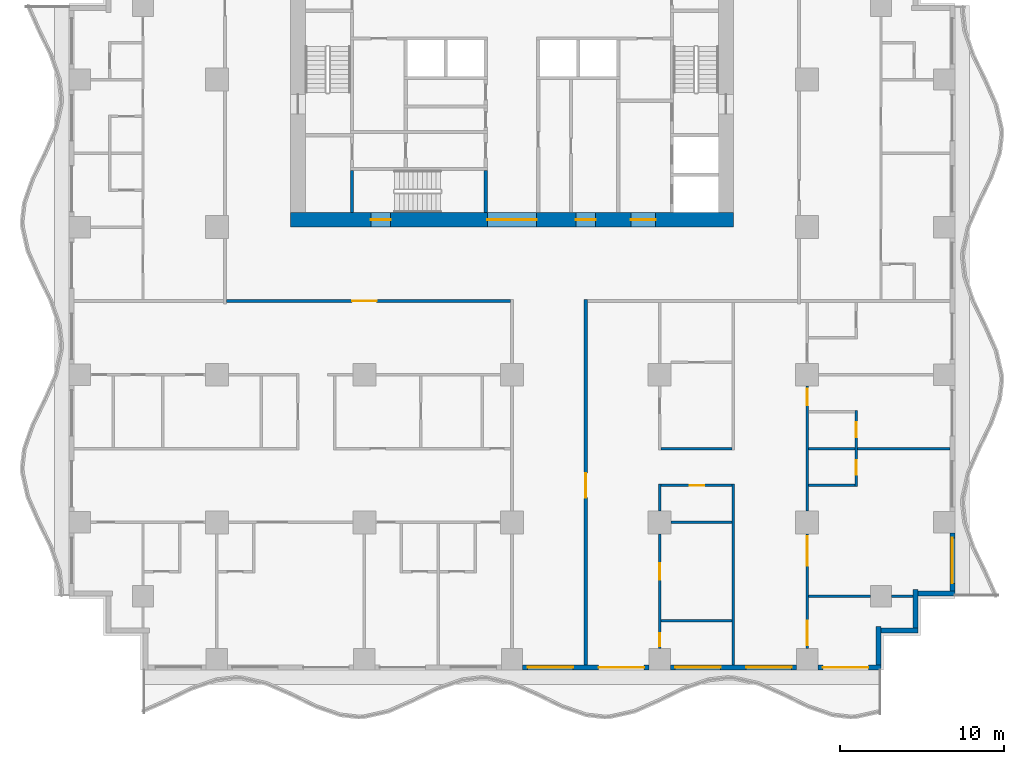
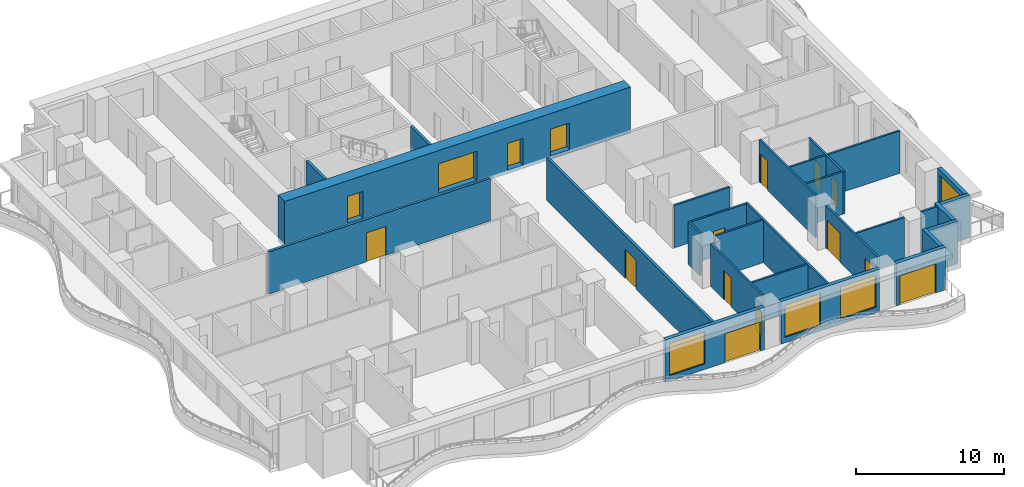
# One storey, part 3 of 14: 28 walls, 16 doors, 4 windows, 20 openings.
"""IFC4 building model written with IfcOpenShell, lengths in metres."""

import ifcopenshell
import ifcopenshell.guid

model = None  # the IFC model being written
_history = None  # IfcOwnerHistory: only IFC2X3 demands one
_inside = {}  # id of a spatial element -> (the spatial element, [elements in it])
_under = {}  # id of a project, library or spatial element -> (it, [spatial elements below it])
_declared = {}  # id of a project -> (the project, [libraries it declares])
_typed = {}  # id of a type object -> (the type object, [elements of that type])
_made_of = {}  # id of a material, layer set ... -> (it, [elements and type objects made of it])


def new_model(schema):
    """Start an empty IFC model of exactly this schema.

    Asked for "IFC4X3", IfcOpenShell would pick the latest addendum, in which some entities
    have other attributes; the version numbers below select the first issue.
    IFC2X3 requires an IfcOwnerHistory on every rooted entity: one is made here for all.
    """
    global model, _history
    if schema == "IFC4X3":
        model = ifcopenshell.file(schema_version=(4, 3, 0, 0))
    else:
        model = ifcopenshell.file(schema=schema)
    _inside.clear()
    _under.clear()
    _declared.clear()
    _typed.clear()
    _made_of.clear()
    _history = None
    if model.schema == "IFC2X3":
        org = make("IfcOrganization", Name="unknown")
        user = make(
            "IfcPersonAndOrganization",
            ThePerson=make("IfcPerson", FamilyName="unknown"),
            TheOrganization=org,
        )
        app = make(
            "IfcApplication",
            ApplicationDeveloper=org,
            Version="unknown",
            ApplicationFullName="unknown",
            ApplicationIdentifier="unknown",
        )
        _history = make(
            "IfcOwnerHistory",
            OwningUser=user,
            OwningApplication=app,
            ChangeAction="ADDED",
            CreationDate=0,
        )
    return model


def make(cls, **values):
    """One entity of the class cls with the attributes given. An attribute that is None is left unset."""
    return model.create_entity(
        cls, **{name: value for name, value in values.items() if value is not None}
    )


def rooted(cls, **values):
    """An entity with a GlobalId (a new one), such as an element, a storey or a relation."""
    return make(cls, GlobalId=ifcopenshell.guid.new(), OwnerHistory=_history, **values)


def si_unit(unit_type, name, prefix=None):
    """IfcSIUnit, for example si_unit("LENGTHUNIT", "METRE", prefix="MILLI")."""
    return make("IfcSIUnit", UnitType=unit_type, Prefix=prefix, Name=name)


def assignment(units):
    """IfcUnitAssignment: the units of a project."""
    return None if units is None else make("IfcUnitAssignment", Units=units)


def point(xyz):
    """IfcCartesianPoint."""
    return None if xyz is None else make("IfcCartesianPoint", Coordinates=xyz)


def direction(xyz):
    """IfcDirection."""
    return None if xyz is None else make("IfcDirection", DirectionRatios=xyz)


def frame(location, z_axis=None, x_axis=None):
    """IfcAxis2Placement3D, a coordinate frame: its origin and axes. An axis left out is left unset."""
    return make(
        "IfcAxis2Placement3D",
        Location=point(location),
        Axis=direction(z_axis),
        RefDirection=direction(x_axis),
    )


def frame_2d(location, x_axis=None):
    """IfcAxis2Placement2D, a coordinate frame in the plane: its origin and x axis."""
    return make(
        "IfcAxis2Placement2D", Location=point(location), RefDirection=direction(x_axis)
    )


def origin():
    """The frame at (0, 0, 0) with its axes left unset."""
    return frame((0.0, 0.0, 0.0))


def place(relative_to, where):
    """IfcLocalPlacement: puts the frame where relative to a parent placement (None: the world)."""
    return make(
        "IfcLocalPlacement", PlacementRelTo=relative_to, RelativePlacement=where
    )


def context(
    kind, dimensions, precision=None, world=None, true_north=None, identifier=None
):
    """IfcGeometricRepresentationContext, for example the 3D "Model" context."""
    return make(
        "IfcGeometricRepresentationContext",
        ContextIdentifier=identifier,
        ContextType=kind,
        CoordinateSpaceDimension=dimensions,
        Precision=precision,
        WorldCoordinateSystem=world,
        TrueNorth=true_north,
    )


def subcontext(parent, identifier, kind, view, scale=None):
    """IfcGeometricRepresentationSubContext, for example "Body" below "Model"."""
    return make(
        "IfcGeometricRepresentationSubContext",
        ContextIdentifier=identifier,
        ContextType=kind,
        ParentContext=parent,
        TargetScale=scale,
        TargetView=view,
    )


def project(units=None, contexts=None):
    """IfcProject with its units and contexts."""
    return rooted(
        "IfcProject",
        Name="project",
        RepresentationContexts=contexts,
        UnitsInContext=assignment(units),
    )


def spatial(cls, under=None, at=None, **own):
    """A site, building, storey or space (cls), placed at a placement, below another one or the project."""
    s = rooted(cls, ObjectPlacement=at, **own)
    if under is not None:
        _under.setdefault(under.id(), (under, []))[1].append(s)
    return s


def profile(cls, at=None, kind="AREA", **sizes):
    """A parametric profile (cls). Its sizes go by their IFC names, for example OverallWidth=200.0."""
    return make(cls, ProfileType=kind, Position=at, **sizes)


def rectangle(**sizes):
    """IfcRectangleProfileDef."""
    return profile("IfcRectangleProfileDef", **sizes)


def extrude(swept, where, along, depth):
    """IfcExtrudedAreaSolid: the profile swept, set in the frame where, extruded along a direction by depth."""
    return make(
        "IfcExtrudedAreaSolid",
        SweptArea=swept,
        Position=where,
        ExtrudedDirection=direction(along),
        Depth=depth,
    )


def shape(context_of_items, identifier, shape_type, items):
    """IfcShapeRepresentation: the items that make up one representation, for example the "Body"."""
    return make(
        "IfcShapeRepresentation",
        ContextOfItems=context_of_items,
        RepresentationIdentifier=identifier,
        RepresentationType=shape_type,
        Items=items,
    )


def material(Name=None, Category=None):
    """IfcMaterial."""
    return make("IfcMaterial", Name=Name, Category=Category)


def layer(
    of_material, thickness, ventilated=None, Name=None, Category=None, Priority=None
):
    """IfcMaterialLayer: one layer of a wall or slab, of a material (None: an air gap)."""
    return make(
        "IfcMaterialLayer",
        Material=of_material,
        LayerThickness=thickness,
        IsVentilated=ventilated,
        Name=Name,
        Category=Category,
        Priority=Priority,
    )


def layer_set(layers, Name=None):
    """IfcMaterialLayerSet."""
    return make("IfcMaterialLayerSet", MaterialLayers=layers, LayerSetName=Name)


def made_of(thing, what):
    """Note that an element or type object is made of a material, layer set ...; save() writes the relation."""
    if what is not None:
        _made_of.setdefault(what.id(), (what, []))[1].append(thing)
    return thing


def type_object(cls, material=None, **own):
    """A type object (cls), such as IfcWallType, which elements share."""
    return made_of(rooted(cls, **own), material)


def element(
    cls,
    number,
    at=None,
    inside=None,
    cuts=None,
    type_object=None,
    material=None,
    context=None,
    identifier="Body",
    shape_type=None,
    held_by="IfcProductDefinitionShape",
    body=None,
    shapes=None,
    **own,
):
    """One element of the class cls, such as IfcWall. Its Tag is "e" and its number.

    at: its placement. inside: the storey or other place that contains it. cuts: it is an
    opening in that element (IfcRelVoidsElement). A single representation is given by context,
    identifier, shape_type and body (its items); several are given by shapes. held_by: the class
    of the entity that holds the representations. save() writes the other relations.
    """
    e = rooted(cls, Tag="e%d" % number, ObjectPlacement=at, **own)
    if body is not None:
        shapes = [shape(context, identifier, shape_type, body)]
    if shapes is not None:
        e.Representation = make(held_by, Representations=shapes)
    if inside is not None:
        _inside.setdefault(inside.id(), (inside, []))[1].append(e)
    if cuts is not None:
        rooted(
            "IfcRelVoidsElement", RelatingBuildingElement=cuts, RelatedOpeningElement=e
        )
    if type_object is not None:
        _typed.setdefault(type_object.id(), (type_object, []))[1].append(e)
    return made_of(e, material)


def fill(opening, filler):
    """IfcRelFillsElement: the door or window that sits in an opening."""
    return rooted(
        "IfcRelFillsElement",
        RelatingOpeningElement=opening,
        RelatedBuildingElement=filler,
    )


def aggregate(whole, parts):
    """IfcRelAggregates: a whole, such as a stair, and the parts it consists of."""
    return rooted("IfcRelAggregates", RelatingObject=whole, RelatedObjects=parts)


def save(model, path):
    """Write the relations noted so far, then the file.

    IfcRelAggregates (storeys below a building ...), IfcRelContainedInSpatialStructure (elements
    in a storey), IfcRelDefinesByType, IfcRelAssociatesMaterial and IfcRelDeclares: one each for
    every whole, place, type object, material and project.
    """
    for whole, parts in _under.values():
        aggregate(whole, parts)
    for where, things in _inside.values():
        rooted(
            "IfcRelContainedInSpatialStructure",
            RelatedElements=things,
            RelatingStructure=where,
        )
    for kind, things in _typed.values():
        rooted("IfcRelDefinesByType", RelatedObjects=things, RelatingType=kind)
    for what, things in _made_of.values():
        rooted("IfcRelAssociatesMaterial", RelatedObjects=things, RelatingMaterial=what)
    for by, libraries in _declared.values():
        rooted("IfcRelDeclares", RelatingContext=by, RelatedDefinitions=libraries)
    model.write(path)


model = new_model("IFC4")

# Units and contexts
model_context = context("Model", 3, precision=1e-05, world=origin(), true_north=direction((0.0, 1.0)))
body_context = subcontext(model_context, "Body", "Model", "MODEL_VIEW")
ifc_project = project(units=[si_unit("LENGTHUNIT", "METRE"), si_unit("AREAUNIT", "SQUARE_METRE"), si_unit("VOLUMEUNIT", "CUBIC_METRE"), si_unit("PLANEANGLEUNIT", "RADIAN"), si_unit("MASSUNIT", "GRAM", prefix="KILO")], contexts=[model_context])

# Site, building, storey
site_placement = place(None, origin())
site = spatial("IfcSite", under=ifc_project, at=site_placement, CompositionType="ELEMENT")
building_placement = place(site_placement, origin())
building = spatial("IfcBuilding", under=site, at=building_placement, Name="Orbiselva Terraces", CompositionType="ELEMENT")
storey_placement = place(building_placement, frame((0.0, 0.0, 88.4)))
storey = spatial("IfcBuildingStorey", under=building, at=storey_placement, Name="L22", CompositionType="ELEMENT", Elevation=88.4)

# Wall, openings, doors
ifc_material_1 = material(Name="Concrete C80/95", Category="concrete")
ifc_layer_1 = layer(ifc_material_1, 0.9)
ifc_layer_set_1 = layer_set([ifc_layer_1], Name="Concrete C80/95")
wall_type_1 = type_object("IfcWallType", Name="CORE WALL 900", PredefinedType="SHEAR", material=ifc_layer_set_1)
wall_1_placement = place(storey_placement, frame((-13.5, 4.95, -0.3), z_axis=(0.0, 0.0, 1.0), x_axis=(1.0, 0.0, 0.0)))
wall_1 = element("IfcWall", 1, at=wall_1_placement, inside=storey, type_object=wall_type_1, Name="Core wall L22 south", PredefinedType="SHEAR", context=body_context, shape_type="SweptSolid", body=[
    extrude(rectangle(XDim=27.0, YDim=0.9, at=frame_2d((13.5, 0.0))), origin(), (0.0, 0.0, 1.0), 3.8),
])
opening_1_placement = place(wall_1_placement, frame((12.0, 0.0, 0.3)))
opening_1 = element("IfcOpeningElement", 2, at=opening_1_placement, cuts=wall_1, Name="Opening DL3000", PredefinedType="OPENING", context=body_context, shape_type="SweptSolid", body=[
    extrude(rectangle(XDim=3.0, YDim=2.4, at=frame_2d((1.5, 1.2))), frame((0.0, 0.46, 0.0), z_axis=(0.0, -1.0, 0.0), x_axis=(1.0, 0.0, 0.0)), (0.0, 0.0, 1.0), 0.92),
])
opening_2_placement = place(wall_1_placement, frame((4.9, 0.0, 0.3)))
opening_2 = element("IfcOpeningElement", 3, at=opening_2_placement, cuts=wall_1, Name="Opening DS1200", PredefinedType="OPENING", context=body_context, shape_type="SweptSolid", body=[
    extrude(rectangle(XDim=1.2, YDim=2.2, at=frame_2d((0.6, 1.1))), frame((0.0, 0.46, 0.0), z_axis=(0.0, -1.0, 0.0), x_axis=(1.0, 0.0, 0.0)), (0.0, 0.0, 1.0), 0.92),
])
opening_3_placement = place(wall_1_placement, frame((20.75, 0.0, 0.3)))
opening_3 = element("IfcOpeningElement", 4, at=opening_3_placement, cuts=wall_1, Name="Opening DF1500", PredefinedType="OPENING", context=body_context, shape_type="SweptSolid", body=[
    extrude(rectangle(XDim=1.5, YDim=2.2, at=frame_2d((0.75, 1.1))), frame((0.0, 0.46, 0.0), z_axis=(0.0, -1.0, 0.0), x_axis=(1.0, 0.0, 0.0)), (0.0, 0.0, 1.0), 0.92),
])
opening_4_placement = place(wall_1_placement, frame((17.4, 0.0, 0.3)))
opening_4 = element("IfcOpeningElement", 5, at=opening_4_placement, cuts=wall_1, Name="Opening DV1200", PredefinedType="OPENING", context=body_context, shape_type="SweptSolid", body=[
    extrude(rectangle(XDim=1.2, YDim=2.2, at=frame_2d((0.6, 1.1))), frame((0.0, 0.46, 0.0), z_axis=(0.0, -1.0, 0.0), x_axis=(1.0, 0.0, 0.0)), (0.0, 0.0, 1.0), 0.92),
])
ifc_material_2 = material(Name="Steel fire door", Category="steel")
door_type_1 = type_object("IfcDoorType", Name="FFL DOOR 1500", OperationType="DOUBLE_DOOR_SINGLE_SWING", PredefinedType="DOOR", material=ifc_material_2)
door_1_placement = place(opening_3_placement, frame((1.5, 0.0, 0.0), z_axis=(0.0, 0.0, 1.0), x_axis=(-1.0, 0.0, 0.0)))
door_1 = element("IfcDoor", 6, at=door_1_placement, inside=storey, type_object=door_type_1, Name="L22 FIRE-FIGHTING LOBBY door", OperationType="DOUBLE_DOOR_SINGLE_SWING", OverallHeight=2.2, OverallWidth=1.5, PredefinedType="DOOR", context=body_context, shape_type="SweptSolid", body=[
    extrude(rectangle(XDim=1.5, YDim=2.2, at=frame_2d((0.75, 1.1))), frame((0.0, 0.025, 0.0), z_axis=(0.0, -1.0, 0.0), x_axis=(1.0, 0.0, 0.0)), (0.0, 0.0, 1.0), 0.05),
])
fill(opening_3, door_1)
door_type_2 = type_object("IfcDoorType", Name="LOBBY DOOR 3000", OperationType="DOUBLE_DOOR_SINGLE_SWING", PredefinedType="DOOR", material=ifc_material_2)
door_2_placement = place(opening_1_placement, frame((3.0, 0.0, 0.0), z_axis=(0.0, 0.0, 1.0), x_axis=(-1.0, 0.0, 0.0)))
door_2 = element("IfcDoor", 7, at=door_2_placement, inside=storey, type_object=door_type_2, Name="L22 LIFT LOBBY door", OperationType="DOUBLE_DOOR_SINGLE_SWING", OverallHeight=2.4, OverallWidth=3.0, PredefinedType="DOOR", context=body_context, shape_type="SweptSolid", body=[
    extrude(rectangle(XDim=3.0, YDim=2.4, at=frame_2d((1.5, 1.2))), frame((0.0, 0.025, 0.0), z_axis=(0.0, -1.0, 0.0), x_axis=(1.0, 0.0, 0.0)), (0.0, 0.0, 1.0), 0.05),
])
fill(opening_1, door_2)
door_type_3 = type_object("IfcDoorType", Name="SERVICE DOOR 1200", OperationType="NOTDEFINED", PredefinedType="DOOR", material=ifc_material_2)
door_3_placement = place(opening_4_placement, frame((1.2, 0.0, 0.0), z_axis=(0.0, 0.0, 1.0), x_axis=(-1.0, 0.0, 0.0)))
door_3 = element("IfcDoor", 8, at=door_3_placement, inside=storey, type_object=door_type_3, Name="L22 SERVICE ROOM door", OperationType="SINGLE_SWING_RIGHT", OverallHeight=2.2, OverallWidth=1.2, PredefinedType="DOOR", context=body_context, shape_type="SweptSolid", body=[
    extrude(rectangle(XDim=1.2, YDim=2.2, at=frame_2d((0.6, 1.1))), frame((0.0, 0.025, 0.0), z_axis=(0.0, -1.0, 0.0), x_axis=(1.0, 0.0, 0.0)), (0.0, 0.0, 1.0), 0.05),
])
fill(opening_4, door_3)
door_type_4 = type_object("IfcDoorType", Name="STAIR DOOR 1200", OperationType="NOTDEFINED", PredefinedType="DOOR", material=ifc_material_2)
door_4_placement = place(opening_2_placement, frame((1.2, 0.0, 0.0), z_axis=(0.0, 0.0, 1.0), x_axis=(-1.0, 0.0, 0.0)))
door_4 = element("IfcDoor", 9, at=door_4_placement, inside=storey, type_object=door_type_4, Name="L22 EXIT STAIR S3 door", OperationType="SINGLE_SWING_LEFT", OverallHeight=2.2, OverallWidth=1.2, PredefinedType="DOOR", context=body_context, shape_type="SweptSolid", body=[
    extrude(rectangle(XDim=1.2, YDim=2.2, at=frame_2d((0.6, 1.1))), frame((0.0, 0.025, 0.0), z_axis=(0.0, -1.0, 0.0), x_axis=(1.0, 0.0, 0.0)), (0.0, 0.0, 1.0), 0.05),
])
fill(opening_2, door_4)

# Walls
ifc_material_3 = material(Name="Concrete C60/75", Category="concrete")
ifc_layer_2 = layer(ifc_material_3, 0.2)
ifc_layer_set_2 = layer_set([ifc_layer_2], Name="Concrete C60/75")
wall_type_2 = type_object("IfcWallType", Name="CORE-WALL-SHEAR-200", PredefinedType="SHEAR", material=ifc_layer_set_2)
for number, where, z_axis, x_axis, name in (
    (10, (-9.75, 5.4, 0.0), (0.0, 0.0, 1.0), (0.0, 1.0, 0.0), "L22 core wall 03"),
    (11, (-1.6, 5.4, 0.0), (0.0, 0.0, 1.0), (0.0, 1.0, 0.0), "L22 core wall 23"),
):
    element("IfcWall", number, at=place(storey_placement, frame(where, z_axis=z_axis, x_axis=x_axis)), inside=storey, type_object=wall_type_2, Name=name, PredefinedType="SHEAR", context=body_context, shape_type="SweptSolid", body=[
        extrude(rectangle(XDim=2.55, YDim=0.2, at=frame_2d((1.275, 0.0))), origin(), (0.0, 0.0, 1.0), 3.5),
    ])

# Wall, openings, door, window
ifc_material_4 = material(Name="Terracotta cladding on masonry backing", Category="masonry")
ifc_layer_3 = layer(ifc_material_4, 0.3)
ifc_layer_set_3 = layer_set([ifc_layer_3], Name="Terracotta cladding on masonry backing")
wall_type_3 = type_object("IfcWallType", Name="ENV-WALL-TERRACOTTA-300", PredefinedType="SOLIDWALL", material=ifc_layer_set_3)
wall_2_placement = place(storey_placement, frame((8.35, -22.35, 0.0), z_axis=(0.0, 0.0, 1.0), x_axis=(-1.0, 0.0, 0.0)))
wall_2 = element("IfcWall", 12, at=wall_2_placement, inside=storey, type_object=wall_type_3, Name="Facade wall L22 S", PredefinedType="SOLIDWALL", context=body_context, shape_type="SweptSolid", body=[
    extrude(rectangle(XDim=7.7, YDim=0.3, at=frame_2d((3.85, 0.0))), origin(), (0.0, 0.0, 1.0), 3.5),
])
opening_5_placement = place(wall_2_placement, frame((4.625, 0.0, 0.45)))
opening_5 = element("IfcOpeningElement", 13, at=opening_5_placement, cuts=wall_2, Name="Opening WN6", PredefinedType="OPENING", context=body_context, shape_type="SweptSolid", body=[
    extrude(rectangle(XDim=2.775, YDim=2.65, at=frame_2d((1.3875, 1.325))), frame((0.0, 0.16, 0.0), z_axis=(0.0, -1.0, 0.0), x_axis=(1.0, 0.0, 0.0)), (0.0, 0.0, 1.0), 0.32),
])
opening_6_placement = place(wall_2_placement, frame((0.3, 0.0, 0.0)))
opening_6 = element("IfcOpeningElement", 14, at=opening_6_placement, cuts=wall_2, Name="Opening Z2-B-E03", PredefinedType="OPENING", context=body_context, shape_type="SweptSolid", body=[
    extrude(rectangle(XDim=2.775, YDim=2.4, at=frame_2d((1.3875, 1.2))), frame((0.0, 0.16, 0.0), z_axis=(0.0, -1.0, 0.0), x_axis=(1.0, 0.0, 0.0)), (0.0, 0.0, 1.0), 0.32),
])
ifc_material_5 = material(Name="Clear low-e glazing in aluminium frame", Category="aluminium")
door_type_5 = type_object("IfcDoorType", Name="BALCONY DOOR 2775 X 2400", OperationType="DOUBLE_DOOR_SLIDING", PredefinedType="DOOR", material=ifc_material_5)
door_5_placement = place(opening_6_placement, origin())
door_5 = element("IfcDoor", 15, at=door_5_placement, inside=storey, type_object=door_type_5, Name="Z2-B-E03", OperationType="SINGLE_SWING_LEFT", OverallHeight=2.4, OverallWidth=2.775, PredefinedType="DOOR", context=body_context, shape_type="SweptSolid", body=[
    extrude(rectangle(XDim=2.775, YDim=2.4, at=frame_2d((1.3875, 1.2))), frame((0.0, 0.025, 0.0), z_axis=(0.0, -1.0, 0.0), x_axis=(1.0, 0.0, 0.0)), (0.0, 0.0, 1.0), 0.05),
])
fill(opening_6, door_5)
window_type = type_object("IfcWindowType", Name="WINDOW 2775 X 2650 S450", PartitioningType="TRIPLE_PANEL_VERTICAL", PredefinedType="WINDOW", material=ifc_material_5)
window_1_placement = place(opening_5_placement, origin())
window_1 = element("IfcWindow", 16, at=window_1_placement, inside=storey, type_object=window_type, Name="Window L22 S", OverallHeight=2.65, OverallWidth=2.775, PartitioningType="SINGLE_PANEL", PredefinedType="WINDOW", context=body_context, shape_type="SweptSolid", body=[
    extrude(rectangle(XDim=2.775, YDim=2.65, at=frame_2d((1.3875, 1.325))), frame((0.0, 0.03, 0.0), z_axis=(0.0, -1.0, 0.0), x_axis=(1.0, 0.0, 0.0)), (0.0, 0.0, 1.0), 0.06),
])
fill(opening_5, window_1)

# Wall, openings, windows
wall_3_placement = place(storey_placement, frame((17.35, -22.35, 0.0), z_axis=(0.0, 0.0, 1.0), x_axis=(-1.0, 0.0, 0.0)))
wall_3 = element("IfcWall", 17, at=wall_3_placement, inside=storey, type_object=wall_type_3, Name="Facade wall L22 S", PredefinedType="SOLIDWALL", context=body_context, shape_type="SweptSolid", body=[
    extrude(rectangle(XDim=7.7, YDim=0.3, at=frame_2d((3.85, 0.0))), origin(), (0.0, 0.0, 1.0), 3.5),
])
opening_7_placement = place(wall_3_placement, frame((4.625, 0.0, 0.45)))
opening_7 = element("IfcOpeningElement", 18, at=opening_7_placement, cuts=wall_3, Name="Opening WN6", PredefinedType="OPENING", context=body_context, shape_type="SweptSolid", body=[
    extrude(rectangle(XDim=2.775, YDim=2.65, at=frame_2d((1.3875, 1.325))), frame((0.0, 0.16, 0.0), z_axis=(0.0, -1.0, 0.0), x_axis=(1.0, 0.0, 0.0)), (0.0, 0.0, 1.0), 0.32),
])
opening_8_placement = place(wall_3_placement, frame((0.3, 0.0, 0.45)))
opening_8 = element("IfcOpeningElement", 19, at=opening_8_placement, cuts=wall_3, Name="Opening WN6", PredefinedType="OPENING", context=body_context, shape_type="SweptSolid", body=[
    extrude(rectangle(XDim=2.775, YDim=2.65, at=frame_2d((1.3875, 1.325))), frame((0.0, 0.16, 0.0), z_axis=(0.0, -1.0, 0.0), x_axis=(1.0, 0.0, 0.0)), (0.0, 0.0, 1.0), 0.32),
])
window_2_placement = place(opening_7_placement, origin())
window_2 = element("IfcWindow", 20, at=window_2_placement, inside=storey, type_object=window_type, Name="Window L22 S", OverallHeight=2.65, OverallWidth=2.775, PartitioningType="SINGLE_PANEL", PredefinedType="WINDOW", context=body_context, shape_type="SweptSolid", body=[
    extrude(rectangle(XDim=2.775, YDim=2.65, at=frame_2d((1.3875, 1.325))), frame((0.0, 0.03, 0.0), z_axis=(0.0, -1.0, 0.0), x_axis=(1.0, 0.0, 0.0)), (0.0, 0.0, 1.0), 0.06),
])
fill(opening_7, window_2)
window_3_placement = place(opening_8_placement, origin())
window_3 = element("IfcWindow", 21, at=window_3_placement, inside=storey, type_object=window_type, Name="Window L22 S", OverallHeight=2.65, OverallWidth=2.775, PartitioningType="SINGLE_PANEL", PredefinedType="WINDOW", context=body_context, shape_type="SweptSolid", body=[
    extrude(rectangle(XDim=2.775, YDim=2.65, at=frame_2d((1.3875, 1.325))), frame((0.0, 0.03, 0.0), z_axis=(0.0, -1.0, 0.0), x_axis=(1.0, 0.0, 0.0)), (0.0, 0.0, 1.0), 0.06),
])
fill(opening_8, window_3)

# Wall, opening, door
wall_4_placement = place(storey_placement, frame((22.5, -22.35, 0.0), z_axis=(0.0, 0.0, 1.0), x_axis=(-1.0, 0.0, 0.0)))
wall_4 = element("IfcWall", 22, at=wall_4_placement, inside=storey, type_object=wall_type_3, Name="Facade wall L22 S", PredefinedType="SOLIDWALL", context=body_context, shape_type="SweptSolid", body=[
    extrude(rectangle(XDim=3.85, YDim=0.3, at=frame_2d((1.925, 0.0))), origin(), (0.0, 0.0, 1.0), 3.5),
])
opening_9_placement = place(wall_4_placement, frame((0.775, 0.0, 0.0)))
opening_9 = element("IfcOpeningElement", 23, at=opening_9_placement, cuts=wall_4, Name="Opening Z2-B-E15", PredefinedType="OPENING", context=body_context, shape_type="SweptSolid", body=[
    extrude(rectangle(XDim=2.775, YDim=2.4, at=frame_2d((1.3875, 1.2))), frame((0.0, 0.16, 0.0), z_axis=(0.0, -1.0, 0.0), x_axis=(1.0, 0.0, 0.0)), (0.0, 0.0, 1.0), 0.32),
])
door_6_placement = place(opening_9_placement, origin())
door_6 = element("IfcDoor", 24, at=door_6_placement, inside=storey, type_object=door_type_5, Name="Z2-B-E15", OperationType="SINGLE_SWING_LEFT", OverallHeight=2.4, OverallWidth=2.775, PredefinedType="DOOR", context=body_context, shape_type="SweptSolid", body=[
    extrude(rectangle(XDim=2.775, YDim=2.4, at=frame_2d((1.3875, 1.2))), frame((0.0, 0.025, 0.0), z_axis=(0.0, -1.0, 0.0), x_axis=(1.0, 0.0, 0.0)), (0.0, 0.0, 1.0), 0.05),
])
fill(opening_9, door_6)

# Walls
wall_5_placement = place(storey_placement, frame((22.35, -19.85, 0.0), z_axis=(0.0, 0.0, 1.0), x_axis=(0.0, -1.0, 0.0)))
element("IfcWall", 25, at=wall_5_placement, inside=storey, type_object=wall_type_3, Name="Facade wall L22 STEP", PredefinedType="SOLIDWALL", context=body_context, shape_type="SweptSolid", body=[
    extrude(rectangle(XDim=2.35, YDim=0.3, at=frame_2d((1.175, 0.0))), origin(), (0.0, 0.0, 1.0), 3.5),
])
wall_6_placement = place(storey_placement, frame((24.75, -20.1, 0.0), z_axis=(0.0, 0.0, 1.0), x_axis=(-1.0, 0.0, 0.0)))
element("IfcWall", 26, at=wall_6_placement, inside=storey, type_object=wall_type_3, Name="Facade wall L22 STEP", PredefinedType="SOLIDWALL", context=body_context, shape_type="SweptSolid", body=[
    extrude(rectangle(XDim=2.25, YDim=0.3, at=frame_2d((1.125, 0.0))), origin(), (0.0, 0.0, 1.0), 3.5),
])
wall_7_placement = place(storey_placement, frame((24.6, -17.6, 0.0), z_axis=(0.0, 0.0, 1.0), x_axis=(0.0, -1.0, 0.0)))
element("IfcWall", 27, at=wall_7_placement, inside=storey, type_object=wall_type_3, Name="Facade wall L22 STEP", PredefinedType="SOLIDWALL", context=body_context, shape_type="SweptSolid", body=[
    extrude(rectangle(XDim=2.35, YDim=0.3, at=frame_2d((1.175, 0.0))), origin(), (0.0, 0.0, 1.0), 3.5),
])
wall_8_placement = place(storey_placement, frame((27.0, -17.85, 0.0), z_axis=(0.0, 0.0, 1.0), x_axis=(-1.0, 0.0, 0.0)))
element("IfcWall", 28, at=wall_8_placement, inside=storey, type_object=wall_type_3, Name="Facade wall L22 STEP", PredefinedType="SOLIDWALL", context=body_context, shape_type="SweptSolid", body=[
    extrude(rectangle(XDim=2.25, YDim=0.3, at=frame_2d((1.125, 0.0))), origin(), (0.0, 0.0, 1.0), 3.5),
])

# Wall, opening, window
wall_9_placement = place(storey_placement, frame((26.85, -14.15, 0.0), z_axis=(0.0, 0.0, 1.0), x_axis=(0.0, -1.0, 0.0)))
wall_9 = element("IfcWall", 29, at=wall_9_placement, inside=storey, type_object=wall_type_3, Name="Facade wall L22 E", PredefinedType="SOLIDWALL", context=body_context, shape_type="SweptSolid", body=[
    extrude(rectangle(XDim=3.55, YDim=0.3, at=frame_2d((1.775, 0.0))), origin(), (0.0, 0.0, 1.0), 3.5),
])
opening_10_placement = place(wall_9_placement, frame((0.3, 0.0, 0.45)))
opening_10 = element("IfcOpeningElement", 30, at=opening_10_placement, cuts=wall_9, Name="Opening WN6", PredefinedType="OPENING", context=body_context, shape_type="SweptSolid", body=[
    extrude(rectangle(XDim=2.775, YDim=2.65, at=frame_2d((1.3875, 1.325))), frame((0.0, 0.16, 0.0), z_axis=(0.0, -1.0, 0.0), x_axis=(1.0, 0.0, 0.0)), (0.0, 0.0, 1.0), 0.32),
])
window_4_placement = place(opening_10_placement, origin())
window_4 = element("IfcWindow", 31, at=window_4_placement, inside=storey, type_object=window_type, Name="Window L22 E", OverallHeight=2.65, OverallWidth=2.775, PartitioningType="SINGLE_PANEL", PredefinedType="WINDOW", context=body_context, shape_type="SweptSolid", body=[
    extrude(rectangle(XDim=2.775, YDim=2.65, at=frame_2d((1.3875, 1.325))), frame((0.0, 0.03, 0.0), z_axis=(0.0, -1.0, 0.0), x_axis=(1.0, 0.0, 0.0)), (0.0, 0.0, 1.0), 0.06),
])
fill(opening_10, window_4)

# Wall, opening, door
ifc_material_6 = material(Name="Plasterboard on steel stud partition", Category="steel")
ifc_layer_4 = layer(ifc_material_6, 0.2)
ifc_layer_set_4 = layer_set([ifc_layer_4], Name="Plasterboard on steel stud partition")
wall_type_4 = type_object("IfcWallType", Name="UNIT-ENTRANCE-WALL-200", PredefinedType="PARTITIONING", material=ifc_layer_set_4)
wall_10_placement = place(storey_placement, frame((-0.1, 0.0, 0.0), z_axis=(0.0, 0.0, 1.0), x_axis=(-1.0, 0.0, 0.0)))
wall_10 = element("IfcWall", 32, at=wall_10_placement, inside=storey, type_object=wall_type_4, Name="PARTITION L22-027", PredefinedType="PARTITIONING", context=body_context, shape_type="SweptSolid", body=[
    extrude(rectangle(XDim=17.3, YDim=0.2, at=frame_2d((8.65, 0.0))), origin(), (0.0, 0.0, 1.0), 3.5),
])
opening_11_placement = place(wall_10_placement, frame((8.15, 0.0, 0.0)))
opening_11 = element("IfcOpeningElement", 33, at=opening_11_placement, cuts=wall_10, Name="Opening Z2-B-15", PredefinedType="OPENING", context=body_context, shape_type="SweptSolid", body=[
    extrude(rectangle(XDim=1.5, YDim=2.4, at=frame_2d((0.75, 1.2))), frame((0.0, 0.11, 0.0), z_axis=(0.0, -1.0, 0.0), x_axis=(1.0, 0.0, 0.0)), (0.0, 0.0, 1.0), 0.22),
])
ifc_material_7 = material(Name="Painted timber door leaf", Category="wood")
door_type_6 = type_object("IfcDoorType", Name="ENTRANCE DOUBLE DOOR 1500", OperationType="NOTDEFINED", PredefinedType="DOOR", material=ifc_material_7)
door_7_placement = place(opening_11_placement, origin())
door_7 = element("IfcDoor", 34, at=door_7_placement, inside=storey, type_object=door_type_6, Name="Z2-B-15", OperationType="DOUBLE_DOOR_SINGLE_SWING", OverallHeight=2.4, OverallWidth=1.5, PredefinedType="DOOR", context=body_context, shape_type="SweptSolid", body=[
    extrude(rectangle(XDim=1.5, YDim=2.4, at=frame_2d((0.75, 1.2))), frame((0.0, 0.025, 0.0), z_axis=(0.0, -1.0, 0.0), x_axis=(1.0, 0.0, 0.0)), (0.0, 0.0, 1.0), 0.05),
])
fill(opening_11, door_7)

wall_11_placement = place(storey_placement, frame((4.5, 0.1, 0.0), z_axis=(0.0, 0.0, 1.0), x_axis=(0.0, -1.0, 0.0)))
wall_11 = element("IfcWall", 35, at=wall_11_placement, inside=storey, type_object=wall_type_4, Name="PARTITION L22-068", PredefinedType="PARTITIONING", context=body_context, shape_type="SweptSolid", body=[
    extrude(rectangle(XDim=22.3, YDim=0.2, at=frame_2d((11.15, 0.0))), origin(), (0.0, 0.0, 1.0), 3.5),
])
opening_12_placement = place(wall_11_placement, frame((10.6, 0.0, 0.0)))
opening_12 = element("IfcOpeningElement", 36, at=opening_12_placement, cuts=wall_11, Name="Opening Z2-B-32", PredefinedType="OPENING", context=body_context, shape_type="SweptSolid", body=[
    extrude(rectangle(XDim=1.5, YDim=2.4, at=frame_2d((0.75, 1.2))), frame((0.0, 0.11, 0.0), z_axis=(0.0, -1.0, 0.0), x_axis=(1.0, 0.0, 0.0)), (0.0, 0.0, 1.0), 0.22),
])
door_8_placement = place(opening_12_placement, origin())
door_8 = element("IfcDoor", 37, at=door_8_placement, inside=storey, type_object=door_type_6, Name="Z2-B-32", OperationType="DOUBLE_DOOR_SINGLE_SWING", OverallHeight=2.4, OverallWidth=1.5, PredefinedType="DOOR", context=body_context, shape_type="SweptSolid", body=[
    extrude(rectangle(XDim=1.5, YDim=2.4, at=frame_2d((0.75, 1.2))), frame((0.0, 0.025, 0.0), z_axis=(0.0, -1.0, 0.0), x_axis=(1.0, 0.0, 0.0)), (0.0, 0.0, 1.0), 0.05),
])
fill(opening_12, door_8)

# Walls
ifc_layer_5 = layer(ifc_material_6, 0.15)
ifc_layer_set_5 = layer_set([ifc_layer_5], Name="Plasterboard on steel stud partition")
wall_type_5 = type_object("IfcWallType", Name="UNIT-PARTITION-150", PredefinedType="PARTITIONING", material=ifc_layer_set_5)
wall_12_placement = place(storey_placement, frame((9.075, -19.5, 0.0), z_axis=(0.0, 0.0, 1.0), x_axis=(1.0, 0.0, 0.0)))
element("IfcWall", 38, at=wall_12_placement, inside=storey, type_object=wall_type_5, Name="PARTITION L22-001", PredefinedType="PARTITIONING", context=body_context, shape_type="SweptSolid", body=[
    extrude(rectangle(XDim=4.35, YDim=0.15, at=frame_2d((2.175, 0.0))), origin(), (0.0, 0.0, 1.0), 3.5),
])
wall_13_placement = place(storey_placement, frame((18.075, -18.0, 0.0), z_axis=(0.0, 0.0, 1.0), x_axis=(1.0, 0.0, 0.0)))
element("IfcWall", 39, at=wall_13_placement, inside=storey, type_object=wall_type_5, Name="PARTITION L22-002", PredefinedType="PARTITIONING", context=body_context, shape_type="SweptSolid", body=[
    extrude(rectangle(XDim=3.775, YDim=0.15, at=frame_2d((1.8875, 0.0))), origin(), (0.0, 0.0, 1.0), 3.5),
])
wall_14_placement = place(storey_placement, frame((23.15, -18.0, 0.0), z_axis=(0.0, 0.0, 1.0), x_axis=(1.0, 0.0, 0.0)))
element("IfcWall", 40, at=wall_14_placement, inside=storey, type_object=wall_type_5, Name="PARTITION L22-003", PredefinedType="PARTITIONING", context=body_context, shape_type="SweptSolid", body=[
    extrude(rectangle(XDim=1.3, YDim=0.15, at=frame_2d((0.65, 0.0))), origin(), (0.0, 0.0, 1.0), 3.5),
])
wall_15_placement = place(storey_placement, frame((9.7, -13.5, 0.0), z_axis=(0.0, 0.0, 1.0), x_axis=(1.0, 0.0, 0.0)))
element("IfcWall", 41, at=wall_15_placement, inside=storey, type_object=wall_type_5, Name="PARTITION L22-011", PredefinedType="PARTITIONING", context=body_context, shape_type="SweptSolid", body=[
    extrude(rectangle(XDim=3.725, YDim=0.15, at=frame_2d((1.8625, 0.0))), origin(), (0.0, 0.0, 1.0), 3.5),
])

# Wall, opening, door
wall_16_placement = place(storey_placement, frame((13.425, -11.25, 0.0), z_axis=(0.0, 0.0, 1.0), x_axis=(-1.0, 0.0, 0.0)))
wall_16 = element("IfcWall", 42, at=wall_16_placement, inside=storey, type_object=wall_type_5, Name="PARTITION L22-012", PredefinedType="PARTITIONING", context=body_context, shape_type="SweptSolid", body=[
    extrude(rectangle(XDim=4.35, YDim=0.15, at=frame_2d((2.175, 0.0))), origin(), (0.0, 0.0, 1.0), 3.5),
])
opening_13_placement = place(wall_16_placement, frame((1.7, 0.0, 0.0)))
opening_13 = element("IfcOpeningElement", 43, at=opening_13_placement, cuts=wall_16, Name="Opening Z2-B-35", PredefinedType="OPENING", context=body_context, shape_type="SweptSolid", body=[
    extrude(rectangle(XDim=0.9, YDim=2.1, at=frame_2d((0.45, 1.05))), frame((0.0, 0.085, 0.0), z_axis=(0.0, -1.0, 0.0), x_axis=(1.0, 0.0, 0.0)), (0.0, 0.0, 1.0), 0.17),
])
door_type_7 = type_object("IfcDoorType", Name="BATH DOOR 900", OperationType="NOTDEFINED", PredefinedType="DOOR", material=ifc_material_7)
door_9_placement = place(opening_13_placement, origin())
door_9 = element("IfcDoor", 44, at=door_9_placement, inside=storey, type_object=door_type_7, Name="Z2-B-35", OperationType="SINGLE_SWING_LEFT", OverallHeight=2.1, OverallWidth=0.9, PredefinedType="DOOR", context=body_context, shape_type="SweptSolid", body=[
    extrude(rectangle(XDim=0.9, YDim=2.1, at=frame_2d((0.45, 1.05))), frame((0.0, 0.025, 0.0), z_axis=(0.0, -1.0, 0.0), x_axis=(1.0, 0.0, 0.0)), (0.0, 0.0, 1.0), 0.05),
])
fill(opening_13, door_9)

# Walls
wall_17_placement = place(storey_placement, frame((18.075, -11.25, 0.0), z_axis=(0.0, 0.0, 1.0), x_axis=(1.0, 0.0, 0.0)))
element("IfcWall", 45, at=wall_17_placement, inside=storey, type_object=wall_type_5, Name="PARTITION L22-013", PredefinedType="PARTITIONING", context=body_context, shape_type="SweptSolid", body=[
    extrude(rectangle(XDim=2.85, YDim=0.15, at=frame_2d((1.425, 0.0))), origin(), (0.0, 0.0, 1.0), 3.5),
])
wall_18_placement = place(storey_placement, frame((9.075, -9.0, 0.0), z_axis=(0.0, 0.0, 1.0), x_axis=(1.0, 0.0, 0.0)))
element("IfcWall", 46, at=wall_18_placement, inside=storey, type_object=wall_type_5, Name="PARTITION L22-016", PredefinedType="PARTITIONING", context=body_context, shape_type="SweptSolid", body=[
    extrude(rectangle(XDim=4.35, YDim=0.15, at=frame_2d((2.175, 0.0))), origin(), (0.0, 0.0, 1.0), 3.5),
])
wall_19_placement = place(storey_placement, frame((18.075, -9.0, 0.0), z_axis=(0.0, 0.0, 1.0), x_axis=(1.0, 0.0, 0.0)))
element("IfcWall", 47, at=wall_19_placement, inside=storey, type_object=wall_type_5, Name="PARTITION L22-017", PredefinedType="PARTITIONING", context=body_context, shape_type="SweptSolid", body=[
    extrude(rectangle(XDim=2.85, YDim=0.15, at=frame_2d((1.425, 0.0))), origin(), (0.0, 0.0, 1.0), 3.5),
])
wall_20_placement = place(storey_placement, frame((21.075, -9.0, 0.0), z_axis=(0.0, 0.0, 1.0), x_axis=(1.0, 0.0, 0.0)))
element("IfcWall", 48, at=wall_20_placement, inside=storey, type_object=wall_type_5, Name="PARTITION L22-018", PredefinedType="PARTITIONING", context=body_context, shape_type="SweptSolid", body=[
    extrude(rectangle(XDim=5.625, YDim=0.15, at=frame_2d((2.8125, 0.0))), origin(), (0.0, 0.0, 1.0), 3.5),
])

# Wall, openings, doors
wall_21_placement = place(storey_placement, frame((9.0, -14.2, 0.0), z_axis=(0.0, 0.0, 1.0), x_axis=(0.0, -1.0, 0.0)))
wall_21 = element("IfcWall", 49, at=wall_21_placement, inside=storey, type_object=wall_type_5, Name="PARTITION L22-069", PredefinedType="PARTITIONING", context=body_context, shape_type="SweptSolid", body=[
    extrude(rectangle(XDim=7.0, YDim=0.15, at=frame_2d((3.5, 0.0))), origin(), (0.0, 0.0, 1.0), 3.5),
])
opening_14_placement = place(wall_21_placement, frame((6.05, 0.0, 0.0)))
opening_14 = element("IfcOpeningElement", 50, at=opening_14_placement, cuts=wall_21, Name="Opening Z2-B-33", PredefinedType="OPENING", context=body_context, shape_type="SweptSolid", body=[
    extrude(rectangle(XDim=0.8, YDim=2.0, at=frame_2d((0.4, 1.0))), frame((0.0, 0.085, 0.0), z_axis=(0.0, -1.0, 0.0), x_axis=(1.0, 0.0, 0.0)), (0.0, 0.0, 1.0), 0.17),
])
opening_15_placement = place(wall_21_placement, frame((1.8, 0.0, 0.0)))
opening_15 = element("IfcOpeningElement", 51, at=opening_15_placement, cuts=wall_21, Name="Opening Z2-B-34", PredefinedType="OPENING", context=body_context, shape_type="SweptSolid", body=[
    extrude(rectangle(XDim=1.0, YDim=2.4, at=frame_2d((0.5, 1.2))), frame((0.0, 0.085, 0.0), z_axis=(0.0, -1.0, 0.0), x_axis=(1.0, 0.0, 0.0)), (0.0, 0.0, 1.0), 0.17),
])
door_type_8 = type_object("IfcDoorType", Name="ROOM DOOR 1000", OperationType="NOTDEFINED", PredefinedType="DOOR", material=ifc_material_7)
door_10_placement = place(opening_15_placement, origin())
door_10 = element("IfcDoor", 52, at=door_10_placement, inside=storey, type_object=door_type_8, Name="Z2-B-34", OperationType="SINGLE_SWING_LEFT", OverallHeight=2.4, OverallWidth=1.0, PredefinedType="DOOR", context=body_context, shape_type="SweptSolid", body=[
    extrude(rectangle(XDim=1.0, YDim=2.4, at=frame_2d((0.5, 1.2))), frame((0.0, 0.025, 0.0), z_axis=(0.0, -1.0, 0.0), x_axis=(1.0, 0.0, 0.0)), (0.0, 0.0, 1.0), 0.05),
])
fill(opening_15, door_10)
door_type_9 = type_object("IfcDoorType", Name="STORE DOOR 800", OperationType="NOTDEFINED", PredefinedType="DOOR", material=ifc_material_7)
door_11_placement = place(opening_14_placement, origin())
door_11 = element("IfcDoor", 53, at=door_11_placement, inside=storey, type_object=door_type_9, Name="Z2-B-33", OperationType="SINGLE_SWING_RIGHT", OverallHeight=2.0, OverallWidth=0.8, PredefinedType="DOOR", context=body_context, shape_type="SweptSolid", body=[
    extrude(rectangle(XDim=0.8, YDim=2.0, at=frame_2d((0.4, 1.0))), frame((0.0, 0.025, 0.0), z_axis=(0.0, -1.0, 0.0), x_axis=(1.0, 0.0, 0.0)), (0.0, 0.0, 1.0), 0.05),
])
fill(opening_14, door_11)

# Walls
wall_22_placement = place(storey_placement, frame((9.0, -12.8, 0.0), z_axis=(0.0, 0.0, 1.0), x_axis=(0.0, 1.0, 0.0)))
element("IfcWall", 54, at=wall_22_placement, inside=storey, type_object=wall_type_5, Name="PARTITION L22-070", PredefinedType="PARTITIONING", context=body_context, shape_type="SweptSolid", body=[
    extrude(rectangle(XDim=1.625, YDim=0.15, at=frame_2d((0.8125, 0.0))), origin(), (0.0, 0.0, 1.0), 3.5),
])
wall_23_placement = place(storey_placement, frame((13.5, -22.2, 0.0), z_axis=(0.0, 0.0, 1.0), x_axis=(0.0, 1.0, 0.0)))
element("IfcWall", 55, at=wall_23_placement, inside=storey, type_object=wall_type_5, Name="PARTITION L22-073", PredefinedType="PARTITIONING", context=body_context, shape_type="SweptSolid", body=[
    extrude(rectangle(XDim=11.025, YDim=0.15, at=frame_2d((5.5125, 0.0))), origin(), (0.0, 0.0, 1.0), 3.5),
])

# Wall, openings, doors
wall_24_placement = place(storey_placement, frame((18.0, -14.2, 0.0), z_axis=(0.0, 0.0, 1.0), x_axis=(0.0, -1.0, 0.0)))
wall_24 = element("IfcWall", 56, at=wall_24_placement, inside=storey, type_object=wall_type_5, Name="PARTITION L22-078", PredefinedType="PARTITIONING", context=body_context, shape_type="SweptSolid", body=[
    extrude(rectangle(XDim=7.0, YDim=0.15, at=frame_2d((3.5, 0.0))), origin(), (0.0, 0.0, 1.0), 3.5),
])
opening_16_placement = place(wall_24_placement, frame((5.3, 0.0, 0.0)))
opening_16 = element("IfcOpeningElement", 57, at=opening_16_placement, cuts=wall_24, Name="Opening Z2-B-38", PredefinedType="OPENING", context=body_context, shape_type="SweptSolid", body=[
    extrude(rectangle(XDim=1.5, YDim=2.4, at=frame_2d((0.75, 1.2))), frame((0.0, 0.085, 0.0), z_axis=(0.0, -1.0, 0.0), x_axis=(1.0, 0.0, 0.0)), (0.0, 0.0, 1.0), 0.17),
])
opening_17_placement = place(wall_24_placement, frame((0.15, 0.0, 0.0)))
opening_17 = element("IfcOpeningElement", 58, at=opening_17_placement, cuts=wall_24, Name="Opening Z2-B-39", PredefinedType="OPENING", context=body_context, shape_type="SweptSolid", body=[
    extrude(rectangle(XDim=1.8, YDim=2.4, at=frame_2d((0.9, 1.2))), frame((0.0, 0.085, 0.0), z_axis=(0.0, -1.0, 0.0), x_axis=(1.0, 0.0, 0.0)), (0.0, 0.0, 1.0), 0.17),
])
door_type_10 = type_object("IfcDoorType", Name="DOUBLE DOOR 1500", OperationType="NOTDEFINED", PredefinedType="DOOR", material=ifc_material_7)
door_12_placement = place(opening_16_placement, origin())
door_12 = element("IfcDoor", 59, at=door_12_placement, inside=storey, type_object=door_type_10, Name="Z2-B-38", OperationType="DOUBLE_DOOR_SINGLE_SWING", OverallHeight=2.4, OverallWidth=1.5, PredefinedType="DOOR", context=body_context, shape_type="SweptSolid", body=[
    extrude(rectangle(XDim=1.5, YDim=2.4, at=frame_2d((0.75, 1.2))), frame((0.0, 0.025, 0.0), z_axis=(0.0, -1.0, 0.0), x_axis=(1.0, 0.0, 0.0)), (0.0, 0.0, 1.0), 0.05),
])
fill(opening_16, door_12)
door_type_11 = type_object("IfcDoorType", Name="DOUBLE DOOR 1800", OperationType="NOTDEFINED", PredefinedType="DOOR", material=ifc_material_7)
door_13_placement = place(opening_17_placement, origin())
door_13 = element("IfcDoor", 60, at=door_13_placement, inside=storey, type_object=door_type_11, Name="Z2-B-39", OperationType="DOUBLE_DOOR_SINGLE_SWING", OverallHeight=2.4, OverallWidth=1.8, PredefinedType="DOOR", context=body_context, shape_type="SweptSolid", body=[
    extrude(rectangle(XDim=1.8, YDim=2.4, at=frame_2d((0.9, 1.2))), frame((0.0, 0.025, 0.0), z_axis=(0.0, -1.0, 0.0), x_axis=(1.0, 0.0, 0.0)), (0.0, 0.0, 1.0), 0.05),
])
fill(opening_17, door_13)

# Wall, opening, door
wall_25_placement = place(storey_placement, frame((18.0, -5.2, 0.0), z_axis=(0.0, 0.0, 1.0), x_axis=(0.0, -1.0, 0.0)))
wall_25 = element("IfcWall", 61, at=wall_25_placement, inside=storey, type_object=wall_type_5, Name="PARTITION L22-079", PredefinedType="PARTITIONING", context=body_context, shape_type="SweptSolid", body=[
    extrude(rectangle(XDim=7.6, YDim=0.15, at=frame_2d((3.8, 0.0))), origin(), (0.0, 0.0, 1.0), 3.5),
])
opening_18_placement = place(wall_25_placement, frame((0.15, 0.0, 0.0)))
opening_18 = element("IfcOpeningElement", 62, at=opening_18_placement, cuts=wall_25, Name="Opening Z2-B-41", PredefinedType="OPENING", context=body_context, shape_type="SweptSolid", body=[
    extrude(rectangle(XDim=1.0, YDim=2.4, at=frame_2d((0.5, 1.2))), frame((0.0, 0.085, 0.0), z_axis=(0.0, -1.0, 0.0), x_axis=(1.0, 0.0, 0.0)), (0.0, 0.0, 1.0), 0.17),
])
door_14_placement = place(opening_18_placement, origin())
door_14 = element("IfcDoor", 63, at=door_14_placement, inside=storey, type_object=door_type_8, Name="Z2-B-41", OperationType="SINGLE_SWING_LEFT", OverallHeight=2.4, OverallWidth=1.0, PredefinedType="DOOR", context=body_context, shape_type="SweptSolid", body=[
    extrude(rectangle(XDim=1.0, YDim=2.4, at=frame_2d((0.5, 1.2))), frame((0.0, 0.025, 0.0), z_axis=(0.0, -1.0, 0.0), x_axis=(1.0, 0.0, 0.0)), (0.0, 0.0, 1.0), 0.05),
])
fill(opening_18, door_14)

# Wall, openings, doors
wall_26_placement = place(storey_placement, frame((21.0, -11.325, 0.0), z_axis=(0.0, 0.0, 1.0), x_axis=(0.0, 1.0, 0.0)))
wall_26 = element("IfcWall", 64, at=wall_26_placement, inside=storey, type_object=wall_type_5, Name="PARTITION L22-081", PredefinedType="PARTITIONING", context=body_context, shape_type="SweptSolid", body=[
    extrude(rectangle(XDim=4.65, YDim=0.15, at=frame_2d((2.325, 0.0))), origin(), (0.0, 0.0, 1.0), 3.5),
])
opening_19_placement = place(wall_26_placement, frame((0.725, 0.0, 0.0)))
opening_19 = element("IfcOpeningElement", 65, at=opening_19_placement, cuts=wall_26, Name="Opening Z2-B-40", PredefinedType="OPENING", context=body_context, shape_type="SweptSolid", body=[
    extrude(rectangle(XDim=0.9, YDim=2.1, at=frame_2d((0.45, 1.05))), frame((0.0, 0.085, 0.0), z_axis=(0.0, -1.0, 0.0), x_axis=(1.0, 0.0, 0.0)), (0.0, 0.0, 1.0), 0.17),
])
opening_20_placement = place(wall_26_placement, frame((3.025, 0.0, 0.0)))
opening_20 = element("IfcOpeningElement", 66, at=opening_20_placement, cuts=wall_26, Name="Opening Z2-B-42", PredefinedType="OPENING", context=body_context, shape_type="SweptSolid", body=[
    extrude(rectangle(XDim=0.9, YDim=2.1, at=frame_2d((0.45, 1.05))), frame((0.0, 0.085, 0.0), z_axis=(0.0, -1.0, 0.0), x_axis=(1.0, 0.0, 0.0)), (0.0, 0.0, 1.0), 0.17),
])
door_15_placement = place(opening_19_placement, origin())
door_15 = element("IfcDoor", 67, at=door_15_placement, inside=storey, type_object=door_type_7, Name="Z2-B-40", OperationType="SINGLE_SWING_LEFT", OverallHeight=2.1, OverallWidth=0.9, PredefinedType="DOOR", context=body_context, shape_type="SweptSolid", body=[
    extrude(rectangle(XDim=0.9, YDim=2.1, at=frame_2d((0.45, 1.05))), frame((0.0, 0.025, 0.0), z_axis=(0.0, -1.0, 0.0), x_axis=(1.0, 0.0, 0.0)), (0.0, 0.0, 1.0), 0.05),
])
fill(opening_19, door_15)
door_16_placement = place(opening_20_placement, origin())
door_16 = element("IfcDoor", 68, at=door_16_placement, inside=storey, type_object=door_type_7, Name="Z2-B-42", OperationType="SINGLE_SWING_RIGHT", OverallHeight=2.1, OverallWidth=0.9, PredefinedType="DOOR", context=body_context, shape_type="SweptSolid", body=[
    extrude(rectangle(XDim=0.9, YDim=2.1, at=frame_2d((0.45, 1.05))), frame((0.0, 0.025, 0.0), z_axis=(0.0, -1.0, 0.0), x_axis=(1.0, 0.0, 0.0)), (0.0, 0.0, 1.0), 0.05),
])
fill(opening_20, door_16)

save(model, "model.ifc")
